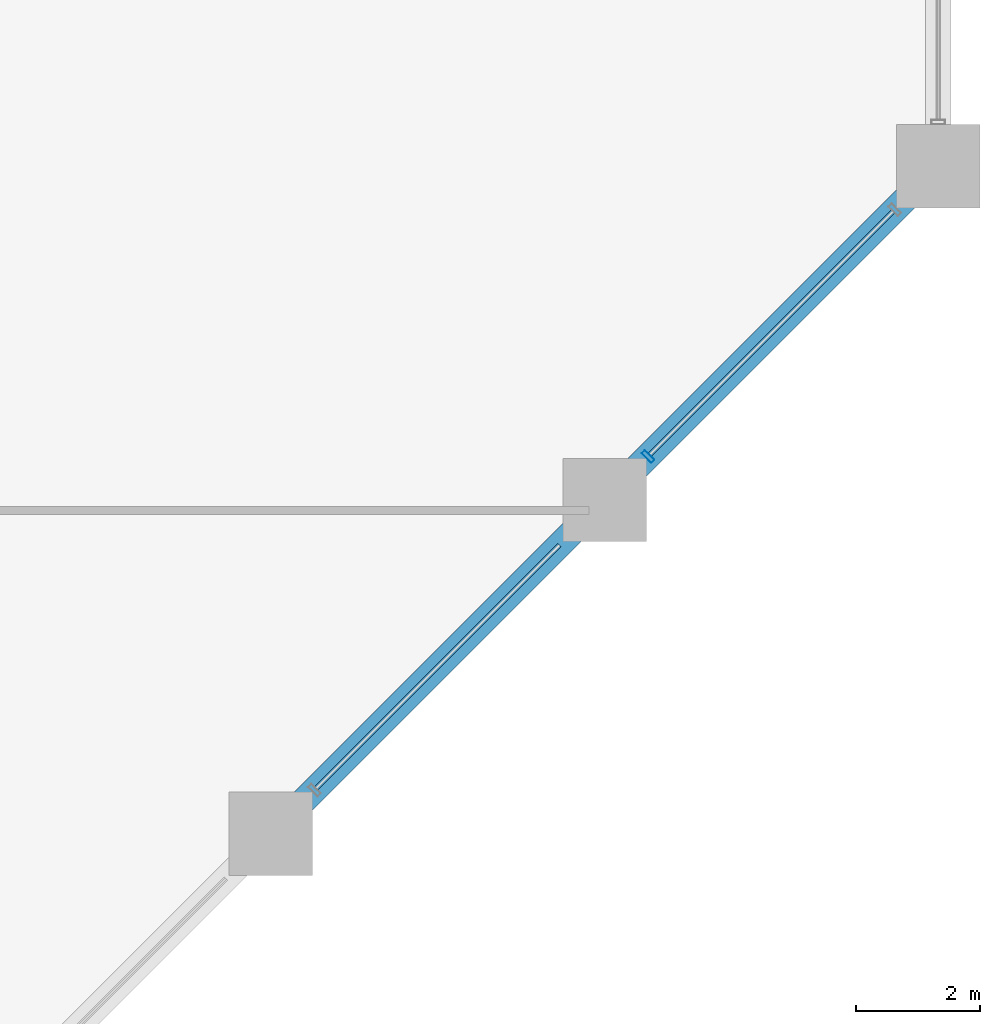
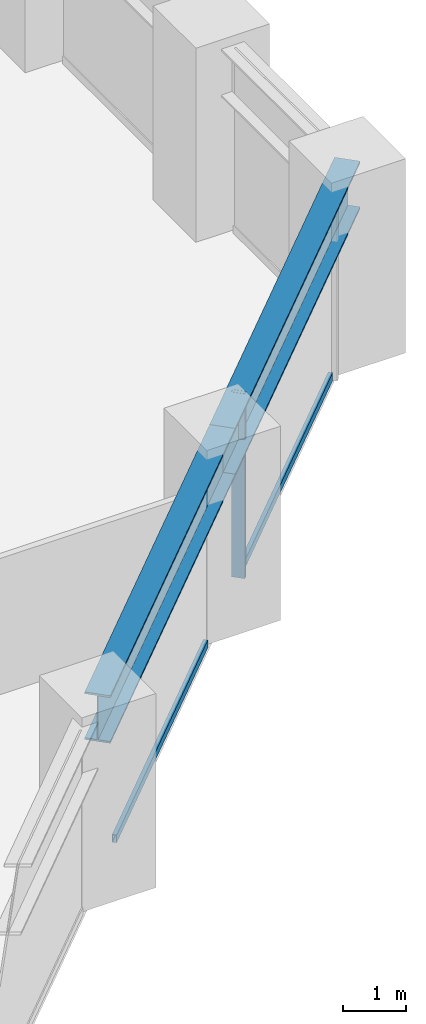
# One storey, part 9 of 25: 3 members, 2 beams, 1 element without a shape of its own.
"""IFC4 building model written with IfcOpenShell, lengths in metres."""

from ifc_helpers import new_model, si_unit, direction, frame, origin, origin_2d, place, context, subcontext, project, spatial, hollow_rectangle, i_section, extrude, material, layer, layer_set, material_profile, profile_set, type_object, element, aggregate, save


model = new_model("IFC4")

# Units and contexts
model_context = context("Model", 3, precision=1e-05, world=origin(), true_north=direction((0.0, 1.0)))
body_context = subcontext(model_context, "Body", "Model", "MODEL_VIEW")
ifc_project = project(units=[si_unit("LENGTHUNIT", "METRE"), si_unit("AREAUNIT", "SQUARE_METRE"), si_unit("VOLUMEUNIT", "CUBIC_METRE"), si_unit("PLANEANGLEUNIT", "RADIAN"), si_unit("MASSUNIT", "GRAM", prefix="KILO")], contexts=[model_context])

# Site, building, storey
site_placement = place(None, origin())
site = spatial("IfcSite", under=ifc_project, at=site_placement, CompositionType="ELEMENT")
building_placement = place(site_placement, origin())
building = spatial("IfcBuilding", under=site, at=building_placement, Name="Surkhivell Harbour Commons", CompositionType="ELEMENT")
storey_placement = place(building_placement, frame((0.0, 0.0, 41.25)))
storey = spatial("IfcBuildingStorey", under=building, at=storey_placement, Name="L10", CompositionType="ELEMENT", Elevation=41.25)

# Beams
ifc_material_1 = material(Name="Steel S460", Category="steel")
ifc_material_profile_1 = material_profile(ifc_material_1, i_section(OverallWidth=0.419921875, OverallDepth=0.9208984375, WebThickness=0.021484375, FlangeThickness=0.03662109375, at=origin_2d()), Name="UB914x419x388")
ifc_profile_set_1 = profile_set([ifc_material_profile_1], Name="Steel S460")
beam_type = type_object("IfcBeamType", Name="BM-SPN-914A", PredefinedType="SPANDREL", material=ifc_profile_set_1)
for number, where, z_axis, x_axis, name in (
    (1, (21.60009765625, -4.300048828125, 3.109619140625), (0.707090796496, 0.707122765516, 0.0), (-0.707122765516, 0.707090796496, 0.0), "L10 Tube Spandrel (21.6,-4.3)"),
    (2, (27.0, 1.10009765625, 3.109619140625), (0.707106781187, 0.707106781187, 0.0), (-0.707106781187, 0.707106781187, 0.0), "L10 Tube Spandrel (27.0,1.1)"),
):
    element("IfcBeam", number, at=place(storey_placement, frame(where, z_axis=z_axis, x_axis=x_axis)), inside=storey, type_object=beam_type, Name=name, PredefinedType="SPANDREL", context=body_context, shape_type="SweptSolid", body=[
        extrude(i_section(OverallWidth=0.419921875, OverallDepth=0.9208984375, WebThickness=0.021484375, FlangeThickness=0.03662109375, at=origin_2d()), origin(), (0.0, 0.0, 1.0), 7.63671875),
    ])

# Curtain wall, members
ifc_material_2 = material(Name="Anodised pale-metal aluminium and insulated glazing", Category="aluminium")
ifc_layer = layer(ifc_material_2, 0.219970703125)
ifc_layer_set = layer_set([ifc_layer], Name="Anodised pale-metal aluminium and insulated glazing")
curtain_wall_type = type_object("IfcCurtainWallType", Name="CW-SYS-Z1", PredefinedType="NOTDEFINED", material=ifc_layer_set)
curtain_wall_placement = place(storey_placement, origin())
curtain_wall = element("IfcCurtainWall", 3, at=curtain_wall_placement, inside=storey, type_object=curtain_wall_type, Name="L10 Curtain Wall CW-L10-E01", PredefinedType="NOTDEFINED")
ifc_material_3 = material(Name="Anodised pale-metal aluminium alloy 6063-T6", Category="aluminium")
ifc_material_profile_2 = material_profile(ifc_material_3, hollow_rectangle(XDim=0.074951171875, YDim=0.219970703125, WallThickness=0.00390625, at=origin_2d()), Name="ALU-MULL-75x220")
ifc_profile_set_2 = profile_set([ifc_material_profile_2], Name="Anodised pale-metal aluminium alloy 6063-T6")
member_type_1 = type_object("IfcMemberType", Name="CWM-220", PredefinedType="MULLION", material=ifc_profile_set_2)
member_1_placement = place(storey_placement, frame((27.703369140625, 1.80322265625, 0.0), z_axis=(0.0, 0.0, 1.0), x_axis=(0.707106781187, 0.707106781187, 0.0)))
member_1 = element("IfcMember", 4, at=member_1_placement, type_object=member_type_1, Name="CW-Z1 mullion 6", PredefinedType="MULLION", context=body_context, shape_type="SweptSolid", body=[
    extrude(hollow_rectangle(XDim=0.074951171875, YDim=0.219970703125, WallThickness=0.00390625, at=origin_2d()), origin(), (0.0, 0.0, 1.0), 3.570068359375),
])
ifc_material_profile_3 = material_profile(ifc_material_3, hollow_rectangle(XDim=0.074951171875, YDim=0.14990234375, WallThickness=0.00341796875, at=origin_2d()), Name="ALU-TRAN-75x150")
ifc_profile_set_3 = profile_set([ifc_material_profile_3], Name="Anodised pale-metal aluminium alloy 6063-T6")
member_type_2 = type_object("IfcMemberType", Name="CWT-150", PredefinedType="USERDEFINED", material=ifc_profile_set_3)
member_2_placement = place(storey_placement, frame((22.329833984375, -3.570068359375, 0.074951171875), z_axis=(0.70712868694, 0.707084874754, 0.0), x_axis=(-0.707084874754, 0.70712868694, 0.0)))
member_2 = element("IfcMember", 5, at=member_2_placement, type_object=member_type_2, Name="CW-Z1 transom 5.1", ObjectType="TRANSOM", PredefinedType="USERDEFINED", context=body_context, shape_type="SweptSolid", body=[
    extrude(hollow_rectangle(XDim=0.074951171875, YDim=0.14990234375, WallThickness=0.00341796875, at=origin_2d()), origin(), (0.0, 0.0, 1.0), 5.572509765625),
])
member_3_placement = place(storey_placement, frame((27.729736328125, 1.829833984375, 0.074951171875), z_axis=(0.707106781187, 0.707106781187, 0.0), x_axis=(-0.707106781187, 0.707106781187, 0.0)))
member_3 = element("IfcMember", 6, at=member_3_placement, type_object=member_type_2, Name="CW-Z1 transom 6.1", ObjectType="TRANSOM", PredefinedType="USERDEFINED", context=body_context, shape_type="SweptSolid", body=[
    extrude(hollow_rectangle(XDim=0.074951171875, YDim=0.14990234375, WallThickness=0.00341796875, at=origin_2d()), origin(), (0.0, 0.0, 1.0), 5.572509765625),
])
aggregate(curtain_wall, [member_2, member_1, member_3])

save(model, "model.ifc")
